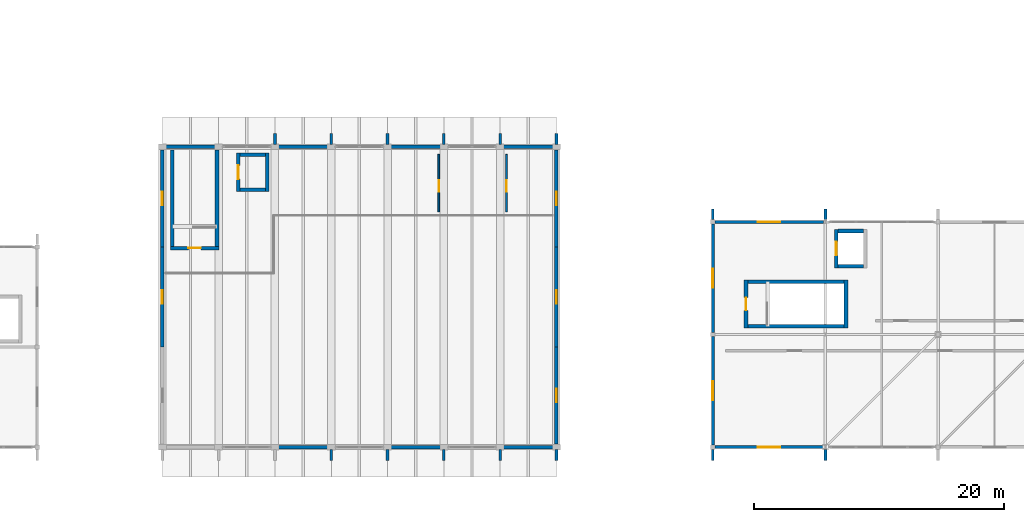
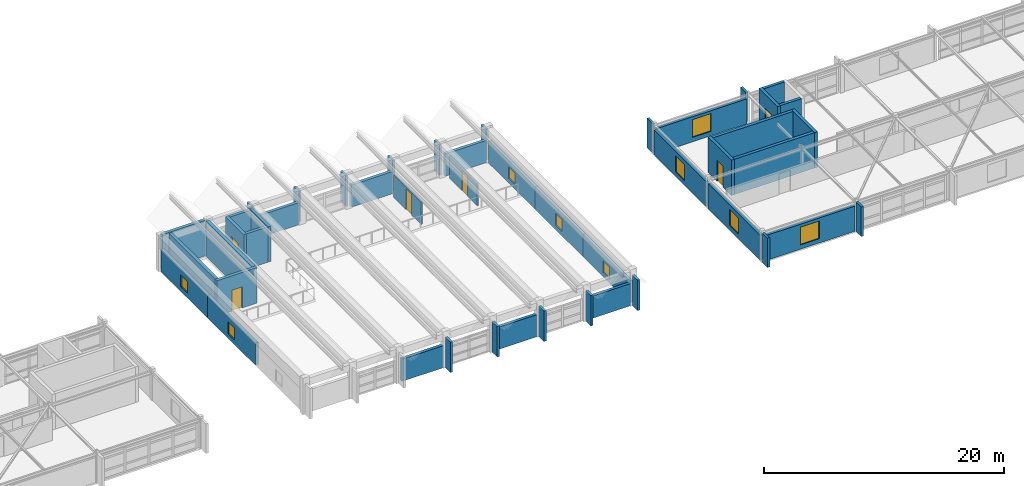
# One storey, part 55 of 83: 47 walls, 9 windows, 6 doors, 15 openings.
"""IFC4 building model written with IfcOpenShell, lengths in metres."""

import ifcopenshell
import ifcopenshell.guid

model = None  # the IFC model being written
_history = None  # IfcOwnerHistory: only IFC2X3 demands one
_inside = {}  # id of a spatial element -> (the spatial element, [elements in it])
_under = {}  # id of a project, library or spatial element -> (it, [spatial elements below it])
_declared = {}  # id of a project -> (the project, [libraries it declares])
_typed = {}  # id of a type object -> (the type object, [elements of that type])
_made_of = {}  # id of a material, layer set ... -> (it, [elements and type objects made of it])


def new_model(schema):
    """Start an empty IFC model of exactly this schema.

    Asked for "IFC4X3", IfcOpenShell would pick the latest addendum, in which some entities
    have other attributes; the version numbers below select the first issue.
    IFC2X3 requires an IfcOwnerHistory on every rooted entity: one is made here for all.
    """
    global model, _history
    if schema == "IFC4X3":
        model = ifcopenshell.file(schema_version=(4, 3, 0, 0))
    else:
        model = ifcopenshell.file(schema=schema)
    _inside.clear()
    _under.clear()
    _declared.clear()
    _typed.clear()
    _made_of.clear()
    _history = None
    if model.schema == "IFC2X3":
        org = make("IfcOrganization", Name="unknown")
        user = make(
            "IfcPersonAndOrganization",
            ThePerson=make("IfcPerson", FamilyName="unknown"),
            TheOrganization=org,
        )
        app = make(
            "IfcApplication",
            ApplicationDeveloper=org,
            Version="unknown",
            ApplicationFullName="unknown",
            ApplicationIdentifier="unknown",
        )
        _history = make(
            "IfcOwnerHistory",
            OwningUser=user,
            OwningApplication=app,
            ChangeAction="ADDED",
            CreationDate=0,
        )
    return model


def make(cls, **values):
    """One entity of the class cls with the attributes given. An attribute that is None is left unset."""
    return model.create_entity(
        cls, **{name: value for name, value in values.items() if value is not None}
    )


def rooted(cls, **values):
    """An entity with a GlobalId (a new one), such as an element, a storey or a relation."""
    return make(cls, GlobalId=ifcopenshell.guid.new(), OwnerHistory=_history, **values)


def si_unit(unit_type, name, prefix=None):
    """IfcSIUnit, for example si_unit("LENGTHUNIT", "METRE", prefix="MILLI")."""
    return make("IfcSIUnit", UnitType=unit_type, Prefix=prefix, Name=name)


def assignment(units):
    """IfcUnitAssignment: the units of a project."""
    return None if units is None else make("IfcUnitAssignment", Units=units)


def point(xyz):
    """IfcCartesianPoint."""
    return None if xyz is None else make("IfcCartesianPoint", Coordinates=xyz)


def direction(xyz):
    """IfcDirection."""
    return None if xyz is None else make("IfcDirection", DirectionRatios=xyz)


def frame(location, z_axis=None, x_axis=None):
    """IfcAxis2Placement3D, a coordinate frame: its origin and axes. An axis left out is left unset."""
    return make(
        "IfcAxis2Placement3D",
        Location=point(location),
        Axis=direction(z_axis),
        RefDirection=direction(x_axis),
    )


def frame_2d(location, x_axis=None):
    """IfcAxis2Placement2D, a coordinate frame in the plane: its origin and x axis."""
    return make(
        "IfcAxis2Placement2D", Location=point(location), RefDirection=direction(x_axis)
    )


def origin():
    """The frame at (0, 0, 0) with its axes left unset."""
    return frame((0.0, 0.0, 0.0))


def place(relative_to, where):
    """IfcLocalPlacement: puts the frame where relative to a parent placement (None: the world)."""
    return make(
        "IfcLocalPlacement", PlacementRelTo=relative_to, RelativePlacement=where
    )


def context(
    kind, dimensions, precision=None, world=None, true_north=None, identifier=None
):
    """IfcGeometricRepresentationContext, for example the 3D "Model" context."""
    return make(
        "IfcGeometricRepresentationContext",
        ContextIdentifier=identifier,
        ContextType=kind,
        CoordinateSpaceDimension=dimensions,
        Precision=precision,
        WorldCoordinateSystem=world,
        TrueNorth=true_north,
    )


def subcontext(parent, identifier, kind, view, scale=None):
    """IfcGeometricRepresentationSubContext, for example "Body" below "Model"."""
    return make(
        "IfcGeometricRepresentationSubContext",
        ContextIdentifier=identifier,
        ContextType=kind,
        ParentContext=parent,
        TargetScale=scale,
        TargetView=view,
    )


def project(units=None, contexts=None):
    """IfcProject with its units and contexts."""
    return rooted(
        "IfcProject",
        Name="project",
        RepresentationContexts=contexts,
        UnitsInContext=assignment(units),
    )


def spatial(cls, under=None, at=None, **own):
    """A site, building, storey or space (cls), placed at a placement, below another one or the project."""
    s = rooted(cls, ObjectPlacement=at, **own)
    if under is not None:
        _under.setdefault(under.id(), (under, []))[1].append(s)
    return s


def profile(cls, at=None, kind="AREA", **sizes):
    """A parametric profile (cls). Its sizes go by their IFC names, for example OverallWidth=200.0."""
    return make(cls, ProfileType=kind, Position=at, **sizes)


def rectangle(**sizes):
    """IfcRectangleProfileDef."""
    return profile("IfcRectangleProfileDef", **sizes)


def extrude(swept, where, along, depth):
    """IfcExtrudedAreaSolid: the profile swept, set in the frame where, extruded along a direction by depth."""
    return make(
        "IfcExtrudedAreaSolid",
        SweptArea=swept,
        Position=where,
        ExtrudedDirection=direction(along),
        Depth=depth,
    )


def shape(context_of_items, identifier, shape_type, items):
    """IfcShapeRepresentation: the items that make up one representation, for example the "Body"."""
    return make(
        "IfcShapeRepresentation",
        ContextOfItems=context_of_items,
        RepresentationIdentifier=identifier,
        RepresentationType=shape_type,
        Items=items,
    )


def material(Name=None, Category=None):
    """IfcMaterial."""
    return make("IfcMaterial", Name=Name, Category=Category)


def layer(
    of_material, thickness, ventilated=None, Name=None, Category=None, Priority=None
):
    """IfcMaterialLayer: one layer of a wall or slab, of a material (None: an air gap)."""
    return make(
        "IfcMaterialLayer",
        Material=of_material,
        LayerThickness=thickness,
        IsVentilated=ventilated,
        Name=Name,
        Category=Category,
        Priority=Priority,
    )


def layer_set(layers, Name=None):
    """IfcMaterialLayerSet."""
    return make("IfcMaterialLayerSet", MaterialLayers=layers, LayerSetName=Name)


def made_of(thing, what):
    """Note that an element or type object is made of a material, layer set ...; save() writes the relation."""
    if what is not None:
        _made_of.setdefault(what.id(), (what, []))[1].append(thing)
    return thing


def type_object(cls, material=None, **own):
    """A type object (cls), such as IfcWallType, which elements share."""
    return made_of(rooted(cls, **own), material)


def element(
    cls,
    number,
    at=None,
    inside=None,
    cuts=None,
    type_object=None,
    material=None,
    context=None,
    identifier="Body",
    shape_type=None,
    held_by="IfcProductDefinitionShape",
    body=None,
    shapes=None,
    **own,
):
    """One element of the class cls, such as IfcWall. Its Tag is "e" and its number.

    at: its placement. inside: the storey or other place that contains it. cuts: it is an
    opening in that element (IfcRelVoidsElement). A single representation is given by context,
    identifier, shape_type and body (its items); several are given by shapes. held_by: the class
    of the entity that holds the representations. save() writes the other relations.
    """
    e = rooted(cls, Tag="e%d" % number, ObjectPlacement=at, **own)
    if body is not None:
        shapes = [shape(context, identifier, shape_type, body)]
    if shapes is not None:
        e.Representation = make(held_by, Representations=shapes)
    if inside is not None:
        _inside.setdefault(inside.id(), (inside, []))[1].append(e)
    if cuts is not None:
        rooted(
            "IfcRelVoidsElement", RelatingBuildingElement=cuts, RelatedOpeningElement=e
        )
    if type_object is not None:
        _typed.setdefault(type_object.id(), (type_object, []))[1].append(e)
    return made_of(e, material)


def fill(opening, filler):
    """IfcRelFillsElement: the door or window that sits in an opening."""
    return rooted(
        "IfcRelFillsElement",
        RelatingOpeningElement=opening,
        RelatedBuildingElement=filler,
    )


def aggregate(whole, parts):
    """IfcRelAggregates: a whole, such as a stair, and the parts it consists of."""
    return rooted("IfcRelAggregates", RelatingObject=whole, RelatedObjects=parts)


def save(model, path):
    """Write the relations noted so far, then the file.

    IfcRelAggregates (storeys below a building ...), IfcRelContainedInSpatialStructure (elements
    in a storey), IfcRelDefinesByType, IfcRelAssociatesMaterial and IfcRelDeclares: one each for
    every whole, place, type object, material and project.
    """
    for whole, parts in _under.values():
        aggregate(whole, parts)
    for where, things in _inside.values():
        rooted(
            "IfcRelContainedInSpatialStructure",
            RelatedElements=things,
            RelatingStructure=where,
        )
    for kind, things in _typed.values():
        rooted("IfcRelDefinesByType", RelatedObjects=things, RelatingType=kind)
    for what, things in _made_of.values():
        rooted("IfcRelAssociatesMaterial", RelatedObjects=things, RelatingMaterial=what)
    for by, libraries in _declared.values():
        rooted("IfcRelDeclares", RelatingContext=by, RelatedDefinitions=libraries)
    model.write(path)


model = new_model("IFC4")

# Units and contexts
model_context = context("Model", 3, precision=1e-05, world=origin(), true_north=direction((0.0, 1.0)))
body_context = subcontext(model_context, "Body", "Model", "MODEL_VIEW")
ifc_project = project(units=[si_unit("LENGTHUNIT", "METRE"), si_unit("AREAUNIT", "SQUARE_METRE"), si_unit("VOLUMEUNIT", "CUBIC_METRE"), si_unit("PLANEANGLEUNIT", "RADIAN"), si_unit("MASSUNIT", "GRAM", prefix="KILO")], contexts=[model_context])

# Site, building, storey
site_placement = place(None, origin())
site = spatial("IfcSite", under=ifc_project, at=site_placement, CompositionType="ELEMENT")
building_placement = place(site_placement, origin())
building = spatial("IfcBuilding", under=site, at=building_placement, Name="Zimvara Arc Housing Community", CompositionType="ELEMENT")
storey_placement = place(building_placement, frame((0.0, 0.0, 4.5)))
storey = spatial("IfcBuildingStorey", under=building, at=storey_placement, Name="L01", CompositionType="ELEMENT", Elevation=4.5)

# Walls
ifc_material_1 = material(Name="Board-Marked Fair-Faced Concrete C40/50", Category="concrete")
ifc_layer_1 = layer(ifc_material_1, 0.284912109375)
ifc_layer_set_1 = layer_set([ifc_layer_1], Name="Board-Marked Fair-Faced Concrete C40/50")
wall_type_1 = type_object("IfcWallType", Name="EWL-HALL-285", PredefinedType="SOLIDWALL", material=ifc_layer_set_1)
for number, where, z_axis, x_axis, name in (
    (1, (77.25, 3.60009765625, 0.0), (0.0, 0.0, 1.0), (1.0, 0.0, 0.0), "ewall:hall:L01:south:b2"),
    (2, (86.25, 3.60009765625, 0.0), (0.0, 0.0, 1.0), (1.0, 0.0, 0.0), "ewall:hall:L01:south:b4"),
    (3, (95.25, 3.60009765625, 0.0), (0.0, 0.0, 1.0), (1.0, 0.0, 0.0), "ewall:hall:L01:south:b6"),
    (4, (77.25, 27.60009765625, 0.0), (0.0, 0.0, 1.0), (1.0, 0.0, 0.0), "ewall:hall:L01:north:b2"),
    (5, (86.25, 27.60009765625, 0.0), (0.0, 0.0, 1.0), (1.0, 0.0, 0.0), "ewall:hall:L01:north:b4"),
    (6, (95.25, 27.60009765625, 0.0), (0.0, 0.0, 1.0), (1.0, 0.0, 0.0), "ewall:hall:L01:north:b6"),
):
    element("IfcWall", number, at=place(storey_placement, frame(where, z_axis=z_axis, x_axis=x_axis)), inside=storey, type_object=wall_type_1, Name=name, PredefinedType="SOLIDWALL", context=body_context, shape_type="SweptSolid", body=[
        extrude(rectangle(XDim=4.0, YDim=0.284912109375, at=frame_2d((2.0, 0.0))), origin(), (0.0, 0.0, 1.0), 2.25),
    ])

# Wall, opening, window
wall_1_placement = place(storey_placement, frame((68.0, 11.60009765625, 0.0), z_axis=(0.0, 0.0, 1.0), x_axis=(0.0, 1.0, 0.0)))
wall_1 = element("IfcWall", 7, at=wall_1_placement, inside=storey, type_object=wall_type_1, Name="ewall:hall:L01:west:b1", PredefinedType="SOLIDWALL", context=body_context, shape_type="SweptSolid", body=[
    extrude(rectangle(XDim=8.0, YDim=0.284912109375, at=frame_2d((4.0, 0.0))), origin(), (0.0, 0.0, 1.0), 2.25),
])
opening_1_placement = place(wall_1_placement, frame((3.449951171875, 0.0, 0.449951171875)))
opening_1 = element("IfcOpeningElement", 8, at=opening_1_placement, cuts=wall_1, Name="Opening W11", PredefinedType="OPENING", context=body_context, shape_type="SweptSolid", body=[
    extrude(rectangle(XDim=1.10009765625, YDim=1.199951171875, at=frame_2d((0.550048828125, 0.60009765625))), frame((0.0, 0.15234375, 0.0), z_axis=(0.0, -1.0, 0.0), x_axis=(1.0, 0.0, 0.0)), (0.0, 0.0, 1.0), 0.304931640625),
])
ifc_material_2 = material(Name="Solar Control Low-E Double Glazing", Category="glass")
window_type_1 = type_object("IfcWindowType", Name="WIN-RES-1100x1200", PartitioningType="SINGLE_PANEL", PredefinedType="WINDOW", material=ifc_material_2)
window_1_placement = place(opening_1_placement, origin())
window_1 = element("IfcWindow", 9, at=window_1_placement, inside=storey, type_object=window_type_1, Name="win:hall:L01:west:b1", OverallHeight=1.199951171875, OverallWidth=1.10009765625, PartitioningType="SINGLE_PANEL", PredefinedType="WINDOW", context=body_context, shape_type="SweptSolid", body=[
    extrude(rectangle(XDim=1.10009765625, YDim=1.199951171875, at=frame_2d((0.550048828125, 0.60009765625))), frame((0.0, 0.030029296875, 0.0), z_axis=(0.0, -1.0, 0.0), x_axis=(1.0, 0.0, 0.0)), (0.0, 0.0, 1.0), 0.06005859375),
])
fill(opening_1, window_1)

wall_2_placement = place(storey_placement, frame((68.0, 19.60009765625, 0.0), z_axis=(0.0, 0.0, 1.0), x_axis=(0.0, 1.0, 0.0)))
wall_2 = element("IfcWall", 10, at=wall_2_placement, inside=storey, type_object=wall_type_1, Name="ewall:hall:L01:west:b2", PredefinedType="SOLIDWALL", context=body_context, shape_type="SweptSolid", body=[
    extrude(rectangle(XDim=7.75, YDim=0.284912109375, at=frame_2d((3.875, 0.0))), origin(), (0.0, 0.0, 1.0), 2.25),
])
opening_2_placement = place(wall_2_placement, frame((3.324951171875, 0.0, 0.449951171875)))
opening_2 = element("IfcOpeningElement", 11, at=opening_2_placement, cuts=wall_2, Name="Opening W11", PredefinedType="OPENING", context=body_context, shape_type="SweptSolid", body=[
    extrude(rectangle(XDim=1.10009765625, YDim=1.199951171875, at=frame_2d((0.550048828125, 0.60009765625))), frame((0.0, 0.15234375, 0.0), z_axis=(0.0, -1.0, 0.0), x_axis=(1.0, 0.0, 0.0)), (0.0, 0.0, 1.0), 0.304931640625),
])
window_2_placement = place(opening_2_placement, origin())
window_2 = element("IfcWindow", 12, at=window_2_placement, inside=storey, type_object=window_type_1, Name="win:hall:L01:west:b2", OverallHeight=1.199951171875, OverallWidth=1.10009765625, PartitioningType="SINGLE_PANEL", PredefinedType="WINDOW", context=body_context, shape_type="SweptSolid", body=[
    extrude(rectangle(XDim=1.10009765625, YDim=1.199951171875, at=frame_2d((0.550048828125, 0.60009765625))), frame((0.0, 0.030029296875, 0.0), z_axis=(0.0, -1.0, 0.0), x_axis=(1.0, 0.0, 0.0)), (0.0, 0.0, 1.0), 0.06005859375),
])
fill(opening_2, window_2)

wall_3_placement = place(storey_placement, frame((99.5, 3.85009765625, 0.0), z_axis=(0.0, 0.0, 1.0), x_axis=(0.0, 1.0, 0.0)))
wall_3 = element("IfcWall", 13, at=wall_3_placement, inside=storey, type_object=wall_type_1, Name="ewall:hall:L01:east:b0", PredefinedType="SOLIDWALL", context=body_context, shape_type="SweptSolid", body=[
    extrude(rectangle(XDim=7.75, YDim=0.284912109375, at=frame_2d((3.875, 0.0))), origin(), (0.0, 0.0, 1.0), 2.25),
])
opening_3_placement = place(wall_3_placement, frame((3.324951171875, 0.0, 0.449951171875)))
opening_3 = element("IfcOpeningElement", 14, at=opening_3_placement, cuts=wall_3, Name="Opening W11", PredefinedType="OPENING", context=body_context, shape_type="SweptSolid", body=[
    extrude(rectangle(XDim=1.10009765625, YDim=1.199951171875, at=frame_2d((0.550048828125, 0.60009765625))), frame((0.0, 0.15234375, 0.0), z_axis=(0.0, -1.0, 0.0), x_axis=(1.0, 0.0, 0.0)), (0.0, 0.0, 1.0), 0.304931640625),
])
window_3_placement = place(opening_3_placement, origin())
window_3 = element("IfcWindow", 15, at=window_3_placement, inside=storey, type_object=window_type_1, Name="win:hall:L01:east:b0", OverallHeight=1.199951171875, OverallWidth=1.10009765625, PartitioningType="SINGLE_PANEL", PredefinedType="WINDOW", context=body_context, shape_type="SweptSolid", body=[
    extrude(rectangle(XDim=1.10009765625, YDim=1.199951171875, at=frame_2d((0.550048828125, 0.60009765625))), frame((0.0, 0.030029296875, 0.0), z_axis=(0.0, -1.0, 0.0), x_axis=(1.0, 0.0, 0.0)), (0.0, 0.0, 1.0), 0.06005859375),
])
fill(opening_3, window_3)

wall_4_placement = place(storey_placement, frame((99.5, 11.60009765625, 0.0), z_axis=(0.0, 0.0, 1.0), x_axis=(0.0, 1.0, 0.0)))
wall_4 = element("IfcWall", 16, at=wall_4_placement, inside=storey, type_object=wall_type_1, Name="ewall:hall:L01:east:b1", PredefinedType="SOLIDWALL", context=body_context, shape_type="SweptSolid", body=[
    extrude(rectangle(XDim=8.0, YDim=0.284912109375, at=frame_2d((4.0, 0.0))), origin(), (0.0, 0.0, 1.0), 2.25),
])
opening_4_placement = place(wall_4_placement, frame((3.449951171875, 0.0, 0.449951171875)))
opening_4 = element("IfcOpeningElement", 17, at=opening_4_placement, cuts=wall_4, Name="Opening W11", PredefinedType="OPENING", context=body_context, shape_type="SweptSolid", body=[
    extrude(rectangle(XDim=1.10009765625, YDim=1.199951171875, at=frame_2d((0.550048828125, 0.60009765625))), frame((0.0, 0.15234375, 0.0), z_axis=(0.0, -1.0, 0.0), x_axis=(1.0, 0.0, 0.0)), (0.0, 0.0, 1.0), 0.304931640625),
])
window_4_placement = place(opening_4_placement, origin())
window_4 = element("IfcWindow", 18, at=window_4_placement, inside=storey, type_object=window_type_1, Name="win:hall:L01:east:b1", OverallHeight=1.199951171875, OverallWidth=1.10009765625, PartitioningType="SINGLE_PANEL", PredefinedType="WINDOW", context=body_context, shape_type="SweptSolid", body=[
    extrude(rectangle(XDim=1.10009765625, YDim=1.199951171875, at=frame_2d((0.550048828125, 0.60009765625))), frame((0.0, 0.030029296875, 0.0), z_axis=(0.0, -1.0, 0.0), x_axis=(1.0, 0.0, 0.0)), (0.0, 0.0, 1.0), 0.06005859375),
])
fill(opening_4, window_4)

wall_5_placement = place(storey_placement, frame((99.5, 19.60009765625, 0.0), z_axis=(0.0, 0.0, 1.0), x_axis=(0.0, 1.0, 0.0)))
wall_5 = element("IfcWall", 19, at=wall_5_placement, inside=storey, type_object=wall_type_1, Name="ewall:hall:L01:east:b2", PredefinedType="SOLIDWALL", context=body_context, shape_type="SweptSolid", body=[
    extrude(rectangle(XDim=7.75, YDim=0.284912109375, at=frame_2d((3.875, 0.0))), origin(), (0.0, 0.0, 1.0), 2.25),
])
opening_5_placement = place(wall_5_placement, frame((3.324951171875, 0.0, 0.449951171875)))
opening_5 = element("IfcOpeningElement", 20, at=opening_5_placement, cuts=wall_5, Name="Opening W11", PredefinedType="OPENING", context=body_context, shape_type="SweptSolid", body=[
    extrude(rectangle(XDim=1.10009765625, YDim=1.199951171875, at=frame_2d((0.550048828125, 0.60009765625))), frame((0.0, 0.15234375, 0.0), z_axis=(0.0, -1.0, 0.0), x_axis=(1.0, 0.0, 0.0)), (0.0, 0.0, 1.0), 0.304931640625),
])
window_5_placement = place(opening_5_placement, origin())
window_5 = element("IfcWindow", 21, at=window_5_placement, inside=storey, type_object=window_type_1, Name="win:hall:L01:east:b2", OverallHeight=1.199951171875, OverallWidth=1.10009765625, PartitioningType="SINGLE_PANEL", PredefinedType="WINDOW", context=body_context, shape_type="SweptSolid", body=[
    extrude(rectangle(XDim=1.10009765625, YDim=1.199951171875, at=frame_2d((0.550048828125, 0.60009765625))), frame((0.0, 0.030029296875, 0.0), z_axis=(0.0, -1.0, 0.0), x_axis=(1.0, 0.0, 0.0)), (0.0, 0.0, 1.0), 0.06005859375),
])
fill(opening_5, window_5)

# Walls
ifc_material_3 = material(Name="Board-Marked Fair-Faced Concrete C35/45", Category="concrete")
ifc_layer_2 = layer(ifc_material_3, 0.219970703125)
ifc_layer_set_2 = layer_set([ifc_layer_2], Name="Board-Marked Fair-Faced Concrete C35/45")
wall_type_2 = type_object("IfcWallType", Name="EWL-PARA-220", PredefinedType="PARAPET", material=ifc_layer_set_2)
for number, where, z_axis, x_axis, name in (
    (22, (77.0, 27.780029296875, 0.0), (0.0, 0.0, 1.0), (0.0, 1.0, 0.0), "finwall:hall:L01:n:2"),
    (23, (81.5, 2.550048828125, 0.0), (0.0, 0.0, 1.0), (0.0, 1.0, 0.0), "finwall:hall:L01:s:3"),
    (24, (81.5, 27.780029296875, 0.0), (0.0, 0.0, 1.0), (0.0, 1.0, 0.0), "finwall:hall:L01:n:3"),
    (25, (86.0, 2.550048828125, 0.0), (0.0, 0.0, 1.0), (0.0, 1.0, 0.0), "finwall:hall:L01:s:4"),
    (26, (86.0, 27.780029296875, 0.0), (0.0, 0.0, 1.0), (0.0, 1.0, 0.0), "finwall:hall:L01:n:4"),
    (27, (90.5, 2.550048828125, 0.0), (0.0, 0.0, 1.0), (0.0, 1.0, 0.0), "finwall:hall:L01:s:5"),
    (28, (90.5, 27.780029296875, 0.0), (0.0, 0.0, 1.0), (0.0, 1.0, 0.0), "finwall:hall:L01:n:5"),
    (29, (95.0, 2.550048828125, 0.0), (0.0, 0.0, 1.0), (0.0, 1.0, 0.0), "finwall:hall:L01:s:6"),
    (30, (95.0, 27.780029296875, 0.0), (0.0, 0.0, 1.0), (0.0, 1.0, 0.0), "finwall:hall:L01:n:6"),
    (31, (99.5, 2.550048828125, 0.0), (0.0, 0.0, 1.0), (0.0, 1.0, 0.0), "finwall:hall:L01:s:7"),
    (32, (99.5, 27.780029296875, 0.0), (0.0, 0.0, 1.0), (0.0, 1.0, 0.0), "finwall:hall:L01:n:7"),
):
    element("IfcWall", number, at=place(storey_placement, frame(where, z_axis=z_axis, x_axis=x_axis)), inside=storey, type_object=wall_type_2, Name=name, PredefinedType="PARAPET", context=body_context, shape_type="SweptSolid", body=[
        extrude(rectangle(XDim=0.869873046875, YDim=0.219970703125, at=frame_2d((0.43505859375, 0.0))), origin(), (0.0, 0.0, 1.0), 3.10009765625),
    ])
for number, where, z_axis, x_axis, name in (
    (33, (112.0, 2.550048828125, 0.0), (0.0, 0.0, 1.0), (0.0, 1.0, 0.0), "finwall:nursery:L01:s:0"),
    (34, (112.0, 21.780029296875, 0.0), (0.0, 0.0, 1.0), (0.0, 1.0, 0.0), "finwall:nursery:L01:n:0"),
    (35, (121.0, 2.550048828125, 0.0), (0.0, 0.0, 1.0), (0.0, 1.0, 0.0), "finwall:nursery:L01:s:1"),
    (36, (121.0, 21.780029296875, 0.0), (0.0, 0.0, 1.0), (0.0, 1.0, 0.0), "finwall:nursery:L01:n:1"),
):
    element("IfcWall", number, at=place(storey_placement, frame(where, z_axis=z_axis, x_axis=x_axis)), inside=storey, type_object=wall_type_2, Name=name, PredefinedType="PARAPET", context=body_context, shape_type="SweptSolid", body=[
        extrude(rectangle(XDim=0.869873046875, YDim=0.219970703125, at=frame_2d((0.43505859375, 0.0))), origin(), (0.0, 0.0, 1.0), 3.0),
    ])

# Wall, opening, window
ifc_material_4 = material(Name="Pigmented Fair-Faced Concrete C35/45", Category="concrete")
ifc_layer_3 = layer(ifc_material_4, 0.235107421875)
ifc_layer_set_3 = layer_set([ifc_layer_3], Name="Pigmented Fair-Faced Concrete C35/45")
wall_type_3 = type_object("IfcWallType", Name="EWL-PIGM-235", PredefinedType="SOLIDWALL", material=ifc_layer_set_3)
wall_6_placement = place(storey_placement, frame((112.175048828125, 3.60009765625, 0.0), z_axis=(0.0, 0.0, 1.0), x_axis=(1.0, 0.0, 0.0)))
wall_6 = element("IfcWall", 37, at=wall_6_placement, inside=storey, type_object=wall_type_3, Name="ewall:nursery:L01:south:b0", PredefinedType="SOLIDWALL", context=body_context, shape_type="SweptSolid", body=[
    extrude(rectangle(XDim=8.64990234375, YDim=0.235107421875, at=frame_2d((4.324951171875, 0.0))), origin(), (0.0, 0.0, 1.0), 2.550048828125),
])
opening_6_placement = place(wall_6_placement, frame((3.425048828125, 0.0, 0.449951171875)))
opening_6 = element("IfcOpeningElement", 38, at=opening_6_placement, cuts=wall_6, Name="Opening W13", PredefinedType="OPENING", context=body_context, shape_type="SweptSolid", body=[
    extrude(rectangle(XDim=1.800048828125, YDim=1.800048828125, at=frame_2d((0.89990234375, 0.89990234375))), frame((0.0, 0.12744140625, 0.0), z_axis=(0.0, -1.0, 0.0), x_axis=(1.0, 0.0, 0.0)), (0.0, 0.0, 1.0), 0.255126953125),
])
ifc_material_5 = material(Name="Solar Control Low-E Double Glazing", Category="glass")
window_type_2 = type_object("IfcWindowType", Name="WIN-NURS-1800x1800", PartitioningType="TRIPLE_PANEL_VERTICAL", PredefinedType="WINDOW", material=ifc_material_5)
window_6_placement = place(opening_6_placement, origin())
window_6 = element("IfcWindow", 39, at=window_6_placement, inside=storey, type_object=window_type_2, Name="win:nursery:L01:south:b0", OverallHeight=1.800048828125, OverallWidth=1.800048828125, PartitioningType="TRIPLE_PANEL_VERTICAL", PredefinedType="WINDOW", context=body_context, shape_type="SweptSolid", body=[
    extrude(rectangle(XDim=1.800048828125, YDim=1.800048828125, at=frame_2d((0.89990234375, 0.89990234375))), frame((0.0, 0.030029296875, 0.0), z_axis=(0.0, -1.0, 0.0), x_axis=(1.0, 0.0, 0.0)), (0.0, 0.0, 1.0), 0.06005859375),
])
fill(opening_6, window_6)

wall_7_placement = place(storey_placement, frame((112.175048828125, 21.60009765625, 0.0), z_axis=(0.0, 0.0, 1.0), x_axis=(1.0, 0.0, 0.0)))
wall_7 = element("IfcWall", 40, at=wall_7_placement, inside=storey, type_object=wall_type_3, Name="ewall:nursery:L01:north:b0", PredefinedType="SOLIDWALL", context=body_context, shape_type="SweptSolid", body=[
    extrude(rectangle(XDim=8.64990234375, YDim=0.235107421875, at=frame_2d((4.324951171875, 0.0))), origin(), (0.0, 0.0, 1.0), 2.550048828125),
])
opening_7_placement = place(wall_7_placement, frame((3.425048828125, 0.0, 0.449951171875)))
opening_7 = element("IfcOpeningElement", 41, at=opening_7_placement, cuts=wall_7, Name="Opening W13", PredefinedType="OPENING", context=body_context, shape_type="SweptSolid", body=[
    extrude(rectangle(XDim=1.800048828125, YDim=1.800048828125, at=frame_2d((0.89990234375, 0.89990234375))), frame((0.0, 0.12744140625, 0.0), z_axis=(0.0, -1.0, 0.0), x_axis=(1.0, 0.0, 0.0)), (0.0, 0.0, 1.0), 0.255126953125),
])
window_7_placement = place(opening_7_placement, origin())
window_7 = element("IfcWindow", 42, at=window_7_placement, inside=storey, type_object=window_type_2, Name="win:nursery:L01:north:b0", OverallHeight=1.800048828125, OverallWidth=1.800048828125, PartitioningType="TRIPLE_PANEL_VERTICAL", PredefinedType="WINDOW", context=body_context, shape_type="SweptSolid", body=[
    extrude(rectangle(XDim=1.800048828125, YDim=1.800048828125, at=frame_2d((0.89990234375, 0.89990234375))), frame((0.0, 0.030029296875, 0.0), z_axis=(0.0, -1.0, 0.0), x_axis=(1.0, 0.0, 0.0)), (0.0, 0.0, 1.0), 0.06005859375),
])
fill(opening_7, window_7)

wall_8_placement = place(storey_placement, frame((112.0, 3.77490234375, 0.0), z_axis=(0.0, 0.0, 1.0), x_axis=(0.0, 1.0, 0.0)))
wall_8 = element("IfcWall", 43, at=wall_8_placement, inside=storey, type_object=wall_type_3, Name="ewall:nursery:L01:west:b0", PredefinedType="SOLIDWALL", context=body_context, shape_type="SweptSolid", body=[
    extrude(rectangle(XDim=8.650146484375, YDim=0.235107421875, at=frame_2d((4.3251953125, 0.0))), origin(), (0.0, 0.0, 1.0), 2.550048828125),
])
opening_8_placement = place(wall_8_placement, frame((3.574951171875, 0.0, 0.449951171875)))
opening_8 = element("IfcOpeningElement", 44, at=opening_8_placement, cuts=wall_8, Name="Opening W07", PredefinedType="OPENING", context=body_context, shape_type="SweptSolid", body=[
    extrude(rectangle(XDim=1.5, YDim=1.64990234375, at=frame_2d((0.75, 0.824951171875))), frame((0.0, 0.12744140625, 0.0), z_axis=(0.0, -1.0, 0.0), x_axis=(1.0, 0.0, 0.0)), (0.0, 0.0, 1.0), 0.255126953125),
])
ifc_material_6 = material(Name="Solar Control Low-E Double Glazing", Category="glass")
window_type_3 = type_object("IfcWindowType", Name="WIN-RES-1500x1650", PartitioningType="DOUBLE_PANEL_VERTICAL", PredefinedType="WINDOW", material=ifc_material_6)
window_8_placement = place(opening_8_placement, origin())
window_8 = element("IfcWindow", 45, at=window_8_placement, inside=storey, type_object=window_type_3, Name="win:nursery:L01:west:b0", OverallHeight=1.64990234375, OverallWidth=1.5, PartitioningType="DOUBLE_PANEL_VERTICAL", PredefinedType="WINDOW", context=body_context, shape_type="SweptSolid", body=[
    extrude(rectangle(XDim=1.5, YDim=1.64990234375, at=frame_2d((0.75, 0.824951171875))), frame((0.0, 0.030029296875, 0.0), z_axis=(0.0, -1.0, 0.0), x_axis=(1.0, 0.0, 0.0)), (0.0, 0.0, 1.0), 0.06005859375),
])
fill(opening_8, window_8)

wall_9_placement = place(storey_placement, frame((112.0, 12.77490234375, 0.0), z_axis=(0.0, 0.0, 1.0), x_axis=(0.0, 1.0, 0.0)))
wall_9 = element("IfcWall", 46, at=wall_9_placement, inside=storey, type_object=wall_type_3, Name="ewall:nursery:L01:west:b1", PredefinedType="SOLIDWALL", context=body_context, shape_type="SweptSolid", body=[
    extrude(rectangle(XDim=8.650146484375, YDim=0.235107421875, at=frame_2d((4.3251953125, 0.0))), origin(), (0.0, 0.0, 1.0), 2.550048828125),
])
opening_9_placement = place(wall_9_placement, frame((3.574951171875, 0.0, 0.449951171875)))
opening_9 = element("IfcOpeningElement", 47, at=opening_9_placement, cuts=wall_9, Name="Opening W07", PredefinedType="OPENING", context=body_context, shape_type="SweptSolid", body=[
    extrude(rectangle(XDim=1.5, YDim=1.64990234375, at=frame_2d((0.75, 0.824951171875))), frame((0.0, 0.12744140625, 0.0), z_axis=(0.0, -1.0, 0.0), x_axis=(1.0, 0.0, 0.0)), (0.0, 0.0, 1.0), 0.255126953125),
])
window_9_placement = place(opening_9_placement, origin())
window_9 = element("IfcWindow", 48, at=window_9_placement, inside=storey, type_object=window_type_3, Name="win:nursery:L01:west:b1", OverallHeight=1.64990234375, OverallWidth=1.5, PartitioningType="DOUBLE_PANEL_VERTICAL", PredefinedType="WINDOW", context=body_context, shape_type="SweptSolid", body=[
    extrude(rectangle(XDim=1.5, YDim=1.64990234375, at=frame_2d((0.75, 0.824951171875))), frame((0.0, 0.030029296875, 0.0), z_axis=(0.0, -1.0, 0.0), x_axis=(1.0, 0.0, 0.0)), (0.0, 0.0, 1.0), 0.06005859375),
])
fill(opening_9, window_9)

# Wall, opening, door
ifc_material_7 = material(Name="Painted Acoustic Plasterboard")
ifc_layer_4 = layer(ifc_material_7, 0.139892578125)
ifc_layer_set_4 = layer_set([ifc_layer_4], Name="Painted Acoustic Plasterboard")
wall_type_4 = type_object("IfcWallType", Name="IWL-PART-140", PredefinedType="PARTITIONING", material=ifc_layer_set_4)
wall_10_placement = place(storey_placement, frame((90.10009765625, 22.39990234375, 0.0), z_axis=(0.0, 0.0, 1.0), x_axis=(0.0, 1.0, 0.0)))
wall_10 = element("IfcWall", 49, at=wall_10_placement, inside=storey, type_object=wall_type_4, Name="iwall:civ:hall_l01", PredefinedType="PARTITIONING", context=body_context, shape_type="SweptSolid", body=[
    extrude(rectangle(XDim=4.60009765625, YDim=0.139892578125, at=frame_2d((2.300048828125, 0.0))), origin(), (0.0, 0.0, 1.0), 2.25),
])
opening_10_placement = place(wall_10_placement, frame((1.60009765625, 0.0, 0.0)))
opening_10 = element("IfcOpeningElement", 50, at=opening_10_placement, cuts=wall_10, Name="Opening D02", PredefinedType="OPENING", context=body_context, shape_type="SweptSolid", body=[
    extrude(rectangle(XDim=0.919921875, YDim=2.10009765625, at=frame_2d((0.4599609375, 1.050048828125))), frame((0.0, 0.079833984375, 0.0), z_axis=(0.0, -1.0, 0.0), x_axis=(1.0, 0.0, 0.0)), (0.0, 0.0, 1.0), 0.159912109375),
])
ifc_material_8 = material(Name="Mozambican Hardwood", Category="wood")
door_type_1 = type_object("IfcDoorType", Name="IDR-RM-0920x2100", OperationType="NOTDEFINED", PredefinedType="DOOR", material=ifc_material_8)
door_1_placement = place(opening_10_placement, origin())
door_1 = element("IfcDoor", 51, at=door_1_placement, inside=storey, type_object=door_type_1, Name="idoor:civ:hav_d", OperationType="SINGLE_SWING_LEFT", OverallHeight=2.10009765625, OverallWidth=0.919921875, PredefinedType="DOOR", context=body_context, shape_type="SweptSolid", body=[
    extrude(rectangle(XDim=0.919921875, YDim=2.10009765625, at=frame_2d((0.4599609375, 1.050048828125))), frame((0.0, 0.02490234375, 0.0), z_axis=(0.0, -1.0, 0.0), x_axis=(1.0, 0.0, 0.0)), (0.0, 0.0, 1.0), 0.050048828125),
])
fill(opening_10, door_1)

ifc_material_9 = material(Name="Painted Acoustic Plasterboard")
ifc_layer_5 = layer(ifc_material_9, 0.14501953125)
ifc_layer_set_5 = layer_set([ifc_layer_5], Name="Painted Acoustic Plasterboard")
wall_type_5 = type_object("IfcWallType", Name="IWL-WET-145", PredefinedType="PARTITIONING", material=ifc_layer_set_5)
wall_11_placement = place(storey_placement, frame((95.5, 22.39990234375, 0.0), z_axis=(0.0, 0.0, 1.0), x_axis=(0.0, 1.0, 0.0)))
wall_11 = element("IfcWall", 52, at=wall_11_placement, inside=storey, type_object=wall_type_5, Name="iwall:civ:hall_l01w", PredefinedType="PARTITIONING", context=body_context, shape_type="SweptSolid", body=[
    extrude(rectangle(XDim=4.60009765625, YDim=0.14501953125, at=frame_2d((2.300048828125, 0.0))), origin(), (0.0, 0.0, 1.0), 2.25),
])
opening_11_placement = place(wall_11_placement, frame((1.60009765625, 0.0, 0.0)))
opening_11 = element("IfcOpeningElement", 53, at=opening_11_placement, cuts=wall_11, Name="Opening D06", PredefinedType="OPENING", context=body_context, shape_type="SweptSolid", body=[
    extrude(rectangle(XDim=0.949951171875, YDim=2.10009765625, at=frame_2d((0.47509765625, 1.050048828125))), frame((0.0, 0.08251953125, 0.0), z_axis=(0.0, -1.0, 0.0), x_axis=(1.0, 0.0, 0.0)), (0.0, 0.0, 1.0), 0.1650390625),
])
ifc_material_10 = material(Name="Mozambican Hardwood", Category="wood")
door_type_2 = type_object("IfcDoorType", Name="IDR-AWC-0950x2100", OperationType="NOTDEFINED", PredefinedType="DOOR", material=ifc_material_10)
door_2_placement = place(opening_11_placement, origin())
door_2 = element("IfcDoor", 54, at=door_2_placement, inside=storey, type_object=door_type_2, Name="idoor:civ:hgwc_d", OperationType="SINGLE_SWING_RIGHT", OverallHeight=2.10009765625, OverallWidth=0.949951171875, PredefinedType="DOOR", context=body_context, shape_type="SweptSolid", body=[
    extrude(rectangle(XDim=0.949951171875, YDim=2.10009765625, at=frame_2d((0.47509765625, 1.050048828125))), frame((0.0, 0.02490234375, 0.0), z_axis=(0.0, -1.0, 0.0), x_axis=(1.0, 0.0, 0.0)), (0.0, 0.0, 1.0), 0.050048828125),
])
fill(opening_11, door_2)

ifc_material_11 = material(Name="Concrete C40/50", Category="concrete")
ifc_layer_6 = layer(ifc_material_11, 0.280029296875)
ifc_layer_set_6 = layer_set([ifc_layer_6], Name="Concrete C40/50")
wall_type_6 = type_object("IfcWallType", Name="WL-CORE-280", PredefinedType="SHEAR", material=ifc_layer_set_6)
wall_12_placement = place(storey_placement, frame((74.06494140625, 24.02490234375, 0.0), z_axis=(0.0, 0.0, 1.0), x_axis=(0.0, 1.0, 0.0)))
wall_12 = element("IfcWall", 55, at=wall_12_placement, inside=storey, type_object=wall_type_6, Name="lwall:LP-H1:L01:front", PredefinedType="SHEAR", context=body_context, shape_type="SweptSolid", body=[
    extrude(rectangle(XDim=3.090087890625, YDim=0.280029296875, at=frame_2d((1.544921875, 0.0))), origin(), (0.0, 0.0, 1.0), 3.60009765625),
])
opening_12_placement = place(wall_12_placement, frame((0.9951171875, 0.0, 0.0)))
opening_12 = element("IfcOpeningElement", 56, at=opening_12_placement, cuts=wall_12, Name="Opening LD-LP-H1", PredefinedType="OPENING", context=body_context, shape_type="SweptSolid", body=[
    extrude(rectangle(XDim=1.10009765625, YDim=2.14990234375, at=frame_2d((0.550048828125, 1.074951171875))), frame((0.0, 0.14990234375, 0.0), z_axis=(0.0, -1.0, 0.0), x_axis=(1.0, 0.0, 0.0)), (0.0, 0.0, 1.0), 0.300048828125),
])
ifc_material_12 = material(Name="Anodised Aluminium AW-6063", Category="aluminium")
door_type_3 = type_object("IfcDoorType", Name="IDR-LD-1100x2150", OperationType="DOUBLE_DOOR_SLIDING", PredefinedType="DOOR", material=ifc_material_12)
door_3_placement = place(opening_12_placement, origin())
door_3 = element("IfcDoor", 57, at=door_3_placement, inside=storey, type_object=door_type_3, Name="Lift LP-H1 Sliding Landing Door L01", OperationType="DOUBLE_DOOR_SLIDING", OverallHeight=2.14990234375, OverallWidth=1.10009765625, PredefinedType="DOOR", context=body_context, shape_type="SweptSolid", body=[
    extrude(rectangle(XDim=1.10009765625, YDim=2.14990234375, at=frame_2d((0.550048828125, 1.074951171875))), frame((0.0, 0.02490234375, 0.0), z_axis=(0.0, -1.0, 0.0), x_axis=(1.0, 0.0, 0.0)), (0.0, 0.0, 1.0), 0.050048828125),
])
fill(opening_12, door_3)

# Walls
wall_13_placement = place(storey_placement, frame((76.375, 24.02490234375, 0.0), z_axis=(0.0, 0.0, 1.0), x_axis=(0.0, 1.0, 0.0)))
element("IfcWall", 58, at=wall_13_placement, inside=storey, type_object=wall_type_6, Name="lwall:LP-H1:L01:back", PredefinedType="SHEAR", context=body_context, shape_type="SweptSolid", body=[
    extrude(rectangle(XDim=3.090087890625, YDim=0.280029296875, at=frame_2d((1.544921875, 0.0))), origin(), (0.0, 0.0, 1.0), 3.60009765625),
])
for number, where, z_axis, x_axis, name in (
    (59, (74.205078125, 24.1650390625, 0.0), (0.0, 0.0, 1.0), (1.0, 0.0, 0.0), "lwall:LP-H1:L01:left"),
    (60, (74.205078125, 26.97509765625, 0.0), (0.0, 0.0, 1.0), (1.0, 0.0, 0.0), "lwall:LP-H1:L01:right"),
):
    element("IfcWall", number, at=place(storey_placement, frame(where, z_axis=z_axis, x_axis=x_axis)), inside=storey, type_object=wall_type_6, Name=name, PredefinedType="SHEAR", context=body_context, shape_type="SweptSolid", body=[
        extrude(rectangle(XDim=2.030029296875, YDim=0.280029296875, at=frame_2d((1.01513671875, 0.0))), origin(), (0.0, 0.0, 1.0), 3.60009765625),
    ])

# Wall, opening, door
wall_14_placement = place(storey_placement, frame((121.864990234375, 17.925048828125, 0.0), z_axis=(0.0, 0.0, 1.0), x_axis=(0.0, 1.0, 0.0)))
wall_14 = element("IfcWall", 61, at=wall_14_placement, inside=storey, type_object=wall_type_6, Name="lwall:LP-N1:L01:front", PredefinedType="SHEAR", context=body_context, shape_type="SweptSolid", body=[
    extrude(rectangle(XDim=3.08984375, YDim=0.280029296875, at=frame_2d((1.544921875, 0.0))), origin(), (0.0, 0.0, 1.0), 3.60009765625),
])
opening_13_placement = place(wall_14_placement, frame((0.9951171875, 0.0, 0.0)))
opening_13 = element("IfcOpeningElement", 62, at=opening_13_placement, cuts=wall_14, Name="Opening LD-LP-N1", PredefinedType="OPENING", context=body_context, shape_type="SweptSolid", body=[
    extrude(rectangle(XDim=1.10009765625, YDim=2.14990234375, at=frame_2d((0.550048828125, 1.074951171875))), frame((0.0, 0.14990234375, 0.0), z_axis=(0.0, -1.0, 0.0), x_axis=(1.0, 0.0, 0.0)), (0.0, 0.0, 1.0), 0.300048828125),
])
door_4_placement = place(opening_13_placement, origin())
door_4 = element("IfcDoor", 63, at=door_4_placement, inside=storey, type_object=door_type_3, Name="Lift LP-N1 Sliding Landing Door L01", OperationType="DOUBLE_DOOR_SLIDING", OverallHeight=2.14990234375, OverallWidth=1.10009765625, PredefinedType="DOOR", context=body_context, shape_type="SweptSolid", body=[
    extrude(rectangle(XDim=1.10009765625, YDim=2.14990234375, at=frame_2d((0.550048828125, 1.074951171875))), frame((0.0, 0.02490234375, 0.0), z_axis=(0.0, -1.0, 0.0), x_axis=(1.0, 0.0, 0.0)), (0.0, 0.0, 1.0), 0.050048828125),
])
fill(opening_13, door_4)

# Walls
for number, where, z_axis, x_axis, name in (
    (64, (122.0048828125, 18.06494140625, 0.0), (0.0, 0.0, 1.0), (1.0, 0.0, 0.0), "lwall:LP-N1:L01:left"),
    (65, (122.0048828125, 20.875, 0.0), (0.0, 0.0, 1.0), (1.0, 0.0, 0.0), "lwall:LP-N1:L01:right"),
):
    element("IfcWall", number, at=place(storey_placement, frame(where, z_axis=z_axis, x_axis=x_axis)), inside=storey, type_object=wall_type_6, Name=name, PredefinedType="SHEAR", context=body_context, shape_type="SweptSolid", body=[
        extrude(rectangle(XDim=2.030029296875, YDim=0.280029296875, at=frame_2d((1.01513671875, 0.0))), origin(), (0.0, 0.0, 1.0), 3.60009765625),
    ])

# Wall, opening, door
ifc_material_13 = material(Name="Concrete C40/50", Category="concrete")
ifc_layer_7 = layer(ifc_material_13, 0.300048828125)
ifc_layer_set_7 = layer_set([ifc_layer_7], Name="Concrete C40/50")
wall_type_7 = type_object("IfcWallType", Name="WL-CORE-300", PredefinedType="SHEAR", material=ifc_layer_set_7)
wall_15_placement = place(storey_placement, frame((72.514892578125, 19.5048828125, 0.0), z_axis=(0.0, 0.0, 1.0), x_axis=(-1.0, 0.0, 0.0)))
wall_15 = element("IfcWall", 66, at=wall_15_placement, inside=storey, type_object=wall_type_7, Name="cwall:ST-H1:L01:near", PredefinedType="SHEAR", context=body_context, shape_type="SweptSolid", body=[
    extrude(rectangle(XDim=3.869873046875, YDim=0.300048828125, at=frame_2d((1.93505859375, 0.0))), origin(), (0.0, 0.0, 1.0), 3.60009765625),
])
opening_14_placement = place(wall_15_placement, frame((1.43505859375, 0.0, 0.0)))
opening_14 = element("IfcOpeningElement", 67, at=opening_14_placement, cuts=wall_15, Name="Opening FD-ST1", PredefinedType="OPENING", context=body_context, shape_type="SweptSolid", body=[
    extrude(rectangle(XDim=1.0, YDim=2.14990234375, at=frame_2d((0.5, 1.074951171875))), frame((0.0, 0.159912109375, 0.0), z_axis=(0.0, -1.0, 0.0), x_axis=(1.0, 0.0, 0.0)), (0.0, 0.0, 1.0), 0.320068359375),
])
ifc_material_14 = material(Name="Anodised Aluminium AW-6063", Category="aluminium")
door_type_4 = type_object("IfcDoorType", Name="IDR-ST-1000x2150", OperationType="NOTDEFINED", PredefinedType="DOOR", material=ifc_material_14)
door_5_placement = place(opening_14_placement, origin())
door_5 = element("IfcDoor", 68, at=door_5_placement, inside=storey, type_object=door_type_4, Name="idoor:ST-H1:L01:entry", OperationType="SINGLE_SWING_LEFT", OverallHeight=2.14990234375, OverallWidth=1.0, PredefinedType="DOOR", context=body_context, shape_type="SweptSolid", body=[
    extrude(rectangle(XDim=1.0, YDim=2.14990234375, at=frame_2d((0.5, 1.074951171875))), frame((0.0, 0.02490234375, 0.0), z_axis=(0.0, -1.0, 0.0), x_axis=(1.0, 0.0, 0.0)), (0.0, 0.0, 1.0), 0.050048828125),
])
fill(opening_14, door_5)

# Walls
wall_16_placement = place(storey_placement, frame((72.429931640625, 27.60009765625, 0.0), z_axis=(0.0, 0.0, 1.0), x_axis=(-1.0, 0.0, 0.0)))
element("IfcWall", 69, at=wall_16_placement, inside=storey, type_object=wall_type_7, Name="cwall:ST-H1:L01:far", PredefinedType="SHEAR", context=body_context, shape_type="SweptSolid", body=[
    extrude(rectangle(XDim=4.35986328125, YDim=0.300048828125, at=frame_2d((2.179931640625, 0.0))), origin(), (0.0, 0.0, 1.0), 3.60009765625),
])
for number, where, z_axis, x_axis, name in (
    (70, (72.364990234375, 19.655029296875, 0.0), (0.0, 0.0, 1.0), (0.0, 1.0, 0.0), "cwall:ST-H1:L01:left"),
    (71, (68.794921875, 19.655029296875, 0.0), (0.0, 0.0, 1.0), (0.0, 1.0, 0.0), "cwall:ST-H1:L01:right"),
):
    element("IfcWall", number, at=place(storey_placement, frame(where, z_axis=z_axis, x_axis=x_axis)), inside=storey, type_object=wall_type_7, Name=name, PredefinedType="SHEAR", context=body_context, shape_type="SweptSolid", body=[
        extrude(rectangle(XDim=7.68994140625, YDim=0.300048828125, at=frame_2d((3.844970703125, 0.0))), origin(), (0.0, 0.0, 1.0), 3.60009765625),
    ])

# Wall, opening, door
wall_17_placement = place(storey_placement, frame((114.655029296875, 13.10498046875, 0.0), z_axis=(0.0, 0.0, 1.0), x_axis=(0.0, 1.0, 0.0)))
wall_17 = element("IfcWall", 72, at=wall_17_placement, inside=storey, type_object=wall_type_7, Name="cwall:ST-N1:L01:near", PredefinedType="SHEAR", context=body_context, shape_type="SweptSolid", body=[
    extrude(rectangle(XDim=3.8701171875, YDim=0.300048828125, at=frame_2d((1.93505859375, 0.0))), origin(), (0.0, 0.0, 1.0), 3.60009765625),
])
opening_15_placement = place(wall_17_placement, frame((1.43505859375, 0.0, 0.0)))
opening_15 = element("IfcOpeningElement", 73, at=opening_15_placement, cuts=wall_17, Name="Opening FD-ST1", PredefinedType="OPENING", context=body_context, shape_type="SweptSolid", body=[
    extrude(rectangle(XDim=1.0, YDim=2.14990234375, at=frame_2d((0.5, 1.074951171875))), frame((0.0, 0.159912109375, 0.0), z_axis=(0.0, -1.0, 0.0), x_axis=(1.0, 0.0, 0.0)), (0.0, 0.0, 1.0), 0.320068359375),
])
door_6_placement = place(opening_15_placement, origin())
door_6 = element("IfcDoor", 74, at=door_6_placement, inside=storey, type_object=door_type_4, Name="idoor:ST-N1:L01:entry", OperationType="SINGLE_SWING_LEFT", OverallHeight=2.14990234375, OverallWidth=1.0, PredefinedType="DOOR", context=body_context, shape_type="SweptSolid", body=[
    extrude(rectangle(XDim=1.0, YDim=2.14990234375, at=frame_2d((0.5, 1.074951171875))), frame((0.0, 0.02490234375, 0.0), z_axis=(0.0, -1.0, 0.0), x_axis=(1.0, 0.0, 0.0)), (0.0, 0.0, 1.0), 0.050048828125),
])
fill(opening_15, door_6)

# Walls
wall_18_placement = place(storey_placement, frame((122.64501953125, 13.10498046875, 0.0), z_axis=(0.0, 0.0, 1.0), x_axis=(0.0, 1.0, 0.0)))
element("IfcWall", 75, at=wall_18_placement, inside=storey, type_object=wall_type_7, Name="cwall:ST-N1:L01:far", PredefinedType="SHEAR", context=body_context, shape_type="SweptSolid", body=[
    extrude(rectangle(XDim=3.8701171875, YDim=0.300048828125, at=frame_2d((1.93505859375, 0.0))), origin(), (0.0, 0.0, 1.0), 3.60009765625),
])
for number, where, z_axis, x_axis, name in (
    (76, (114.804931640625, 13.2548828125, 0.0), (0.0, 0.0, 1.0), (1.0, 0.0, 0.0), "cwall:ST-N1:L01:left"),
    (77, (114.804931640625, 16.824951171875, 0.0), (0.0, 0.0, 1.0), (1.0, 0.0, 0.0), "cwall:ST-N1:L01:right"),
):
    element("IfcWall", number, at=place(storey_placement, frame(where, z_axis=z_axis, x_axis=x_axis)), inside=storey, type_object=wall_type_7, Name=name, PredefinedType="SHEAR", context=body_context, shape_type="SweptSolid", body=[
        extrude(rectangle(XDim=7.690185546875, YDim=0.300048828125, at=frame_2d((3.84521484375, 0.0))), origin(), (0.0, 0.0, 1.0), 3.60009765625),
    ])

save(model, "model.ifc")
